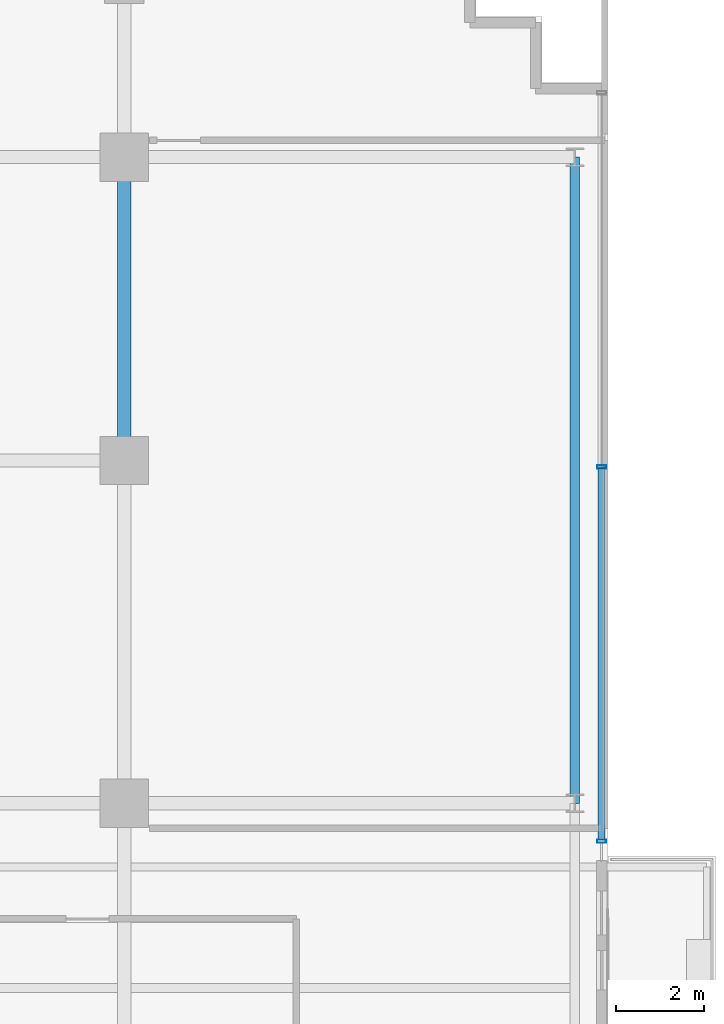
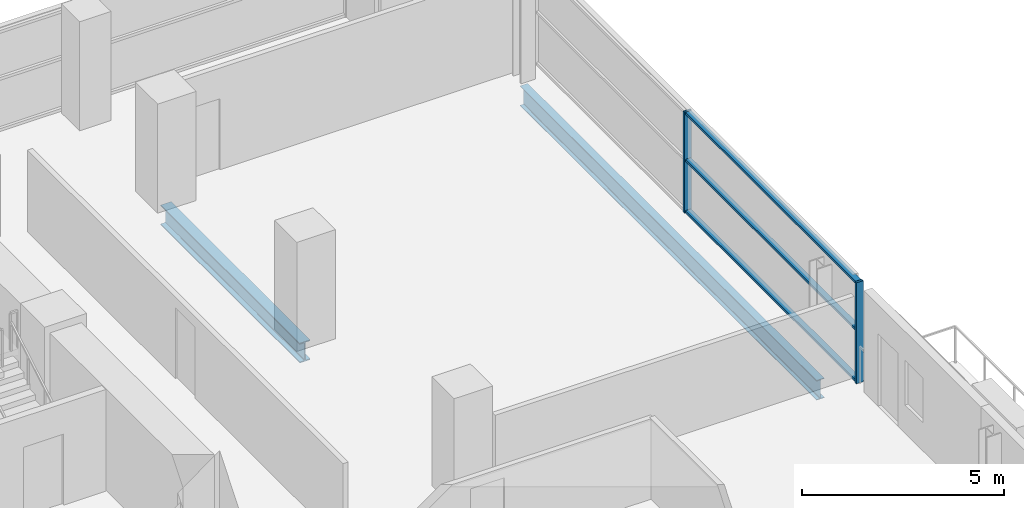
# One storey, part 13 of 28: 5 members, 2 beams, 1 element without a shape of its own.
"""IFC4 building model written with IfcOpenShell, lengths in metres."""

from ifc_helpers import new_model, si_unit, direction, frame, origin, origin_2d, place, context, subcontext, project, spatial, hollow_rectangle, i_section, extrude, source, transform, mapped, material, layer, layer_set, material_profile, profile_set, type_object, element, aggregate, save


model = new_model("IFC4")

# Units and contexts
model_context = context("Model", 3, precision=1e-05, world=origin(), true_north=direction((0.0, 1.0)))
body_context = subcontext(model_context, "Body", "Model", "MODEL_VIEW")
ifc_project = project(units=[si_unit("LENGTHUNIT", "METRE"), si_unit("AREAUNIT", "SQUARE_METRE"), si_unit("VOLUMEUNIT", "CUBIC_METRE"), si_unit("PLANEANGLEUNIT", "RADIAN"), si_unit("MASSUNIT", "GRAM", prefix="KILO")], contexts=[model_context])

# Site, building, storey
site_placement = place(None, origin())
site = spatial("IfcSite", under=ifc_project, at=site_placement, CompositionType="ELEMENT")
building_placement = place(site_placement, origin())
building = spatial("IfcBuilding", under=site, at=building_placement, Name="Zarnakvel Exchange Tower", CompositionType="ELEMENT")
storey_placement = place(building_placement, frame((0.0, 0.0, 57.10009765625)))
storey = spatial("IfcBuildingStorey", under=building, at=storey_placement, Name="L15", CompositionType="ELEMENT", Elevation=57.10009765625)

# Beams
ifc_material_1 = material(Name="Steel S355", Category="steel")
ifc_material_profile_1 = material_profile(ifc_material_1, i_section(OverallWidth=0.300048828125, OverallDepth=0.60009765625, WebThickness=0.015380859375, FlangeThickness=0.030029296875, FilletRadius=0.027099609375, at=origin_2d()))
ifc_profile_set_1 = profile_set([ifc_material_profile_1], Name="Steel S355")
beam_type_1 = type_object("IfcBeamType", Name="G-04", PredefinedType="BEAM", material=ifc_profile_set_1)
beam_1_placement = place(storey_placement, frame((21.60009765625, 6.60009765625, -0.525146484375), z_axis=(0.0, 1.0, 0.0), x_axis=(-1.0, 0.0, 0.0)))
element("IfcBeam", 1, at=beam_1_placement, inside=storey, type_object=beam_type_1, Name="L15 Tower N-S Frame Beam", PredefinedType="BEAM", context=body_context, shape_type="SweptSolid", body=[
    extrude(i_section(OverallWidth=0.300048828125, OverallDepth=0.60009765625, WebThickness=0.015380859375, FlangeThickness=0.030029296875, FilletRadius=0.027099609375, at=origin_2d()), origin(), (0.0, 0.0, 1.0), 6.89990234375),
])
ifc_material_profile_2 = material_profile(ifc_material_1, i_section(OverallWidth=0.219970703125, OverallDepth=0.60009765625, WebThickness=0.011962890625, FlangeThickness=0.01904296875, FilletRadius=0.02392578125, at=origin_2d()))
ifc_profile_set_2 = profile_set([ifc_material_profile_2], Name="Steel S355")
beam_type_2 = type_object("IfcBeamType", Name="SP-01", PredefinedType="SPANDREL", material=ifc_profile_set_2)
beam_2_placement = place(storey_placement, frame((31.85009765625, -1.199951171875, -0.525146484375), z_axis=(0.0, 1.0, 0.0), x_axis=(-1.0, 0.0, 0.0)))
element("IfcBeam", 2, at=beam_2_placement, inside=storey, type_object=beam_type_2, Name="L15 Tower N-S Frame Beam", PredefinedType="SPANDREL", context=body_context, shape_type="SweptSolid", body=[
    extrude(i_section(OverallWidth=0.219970703125, OverallDepth=0.60009765625, WebThickness=0.011962890625, FlangeThickness=0.01904296875, FilletRadius=0.02392578125, at=origin_2d()), origin(), (0.0, 0.0, 1.0), 14.699951171875),
])

# Curtain wall, members
ifc_material_2 = material(Name="Architectural Bronze Anodised Aluminium", Category="aluminium")
ifc_layer = layer(ifc_material_2, 0.199951171875)
ifc_layer_set = layer_set([ifc_layer], Name="Architectural Bronze Anodised Aluminium")
curtain_wall_type = type_object("IfcCurtainWallType", Name="CW-04", PredefinedType="NOTDEFINED", material=ifc_layer_set)
curtain_wall_placement = place(storey_placement, origin())
curtain_wall = element("IfcCurtainWall", 3, at=curtain_wall_placement, inside=storey, type_object=curtain_wall_type, Name="L15 Curtain Wall CW-L15-EN (CW-04)", PredefinedType="NOTDEFINED")
ifc_material_profile_3 = material_profile(ifc_material_2, hollow_rectangle(XDim=0.159912109375, YDim=0.074951171875, WallThickness=0.00390625, at=origin_2d()))
ifc_profile_set_3 = profile_set([ifc_material_profile_3], Name="Architectural Bronze Anodised Aluminium")
member_type_1 = type_object("IfcMemberType", Name="CWT-04", PredefinedType="USERDEFINED", material=ifc_profile_set_3)
shared_shape_1 = source(origin(), body_context, "Body", "SweptSolid", [
    extrude(hollow_rectangle(XDim=0.159912109375, YDim=0.074951171875, WallThickness=0.00390625, at=origin_2d()), origin(), (0.0, 0.0, 1.0), 8.4375),
])
member_1_placement = place(storey_placement, frame((32.4599609375, -2.02490234375, 0.037353515625), z_axis=(0.0, 1.0, 0.0), x_axis=(-1.0, 0.0, 0.0)))
member_1 = element("IfcMember", 4, at=member_1_placement, type_object=member_type_1, Name="CW-04 transom 1.1", ObjectType="TRANSOM", PredefinedType="USERDEFINED", context=body_context, shape_type="MappedRepresentation", body=[
    mapped(shared_shape_1, transform((0.0, 0.0, 0.0), x_axis=(1.0, 0.0, 0.0), y_axis=(0.0, 1.0, 0.0), z_axis=(0.0, 0.0, 1.0), scale=1.0)),
])
member_2_placement = place(storey_placement, frame((32.4599609375, -2.02490234375, 1.588623046875), z_axis=(0.0, 1.0, 0.0), x_axis=(-1.0, 0.0, 0.0)))
member_2 = element("IfcMember", 5, at=member_2_placement, type_object=member_type_1, Name="CW-04 transom 1.2", ObjectType="TRANSOM", PredefinedType="USERDEFINED", context=body_context, shape_type="MappedRepresentation", body=[
    mapped(shared_shape_1, transform((0.0, 0.0, 0.0), x_axis=(1.0, 0.0, 0.0), y_axis=(0.0, 1.0, 0.0), z_axis=(0.0, 0.0, 1.0), scale=1.0)),
])
member_3_placement = place(storey_placement, frame((32.4599609375, -2.02490234375, 3.017333984375), z_axis=(0.0, 1.0, 0.0), x_axis=(-1.0, 0.0, 0.0)))
member_3 = element("IfcMember", 6, at=member_3_placement, type_object=member_type_1, Name="CW-04 transom 1.3", ObjectType="TRANSOM", PredefinedType="USERDEFINED", context=body_context, shape_type="MappedRepresentation", body=[
    mapped(shared_shape_1, transform((0.0, 0.0, 0.0), x_axis=(1.0, 0.0, 0.0), y_axis=(0.0, 1.0, 0.0), z_axis=(0.0, 0.0, 1.0), scale=1.0)),
])
ifc_material_profile_4 = material_profile(ifc_material_2, hollow_rectangle(XDim=0.199951171875, YDim=0.074951171875, WallThickness=0.0048828125, at=origin_2d()))
ifc_profile_set_4 = profile_set([ifc_material_profile_4], Name="Architectural Bronze Anodised Aluminium")
member_type_2 = type_object("IfcMemberType", Name="CWM-04", PredefinedType="MULLION", material=ifc_profile_set_4)
shared_shape_2 = source(origin(), body_context, "Body", "SweptSolid", [
    extrude(hollow_rectangle(XDim=0.199951171875, YDim=0.074951171875, WallThickness=0.0048828125, at=origin_2d()), origin(), (0.0, 0.0, 1.0), 3.054931640625),
])
member_4_placement = place(storey_placement, frame((32.4599609375, -2.0625, 0.0), z_axis=(0.0, 0.0, 1.0), x_axis=(-1.0, 0.0, 0.0)))
member_4 = element("IfcMember", 7, at=member_4_placement, type_object=member_type_2, Name="CW-04 mullion 1", PredefinedType="MULLION", context=body_context, shape_type="MappedRepresentation", body=[
    mapped(shared_shape_2, transform((0.0, 0.0, 0.0), x_axis=(1.0, 0.0, 0.0), y_axis=(0.0, 1.0, 0.0), z_axis=(0.0, 0.0, 1.0), scale=1.0)),
])
member_5_placement = place(storey_placement, frame((32.4599609375, 6.449951171875, 0.0), z_axis=(0.0, 0.0, 1.0), x_axis=(-1.0, 0.0, 0.0)))
member_5 = element("IfcMember", 8, at=member_5_placement, type_object=member_type_2, Name="CW-04 mullion 2", PredefinedType="MULLION", context=body_context, shape_type="MappedRepresentation", body=[
    mapped(shared_shape_2, transform((0.0, 0.0, 0.0), x_axis=(1.0, 0.0, 0.0), y_axis=(0.0, 1.0, 0.0), z_axis=(0.0, 0.0, 1.0), scale=1.0)),
])
aggregate(curtain_wall, [member_4, member_5, member_1, member_2, member_3])

save(model, "model.ifc")
